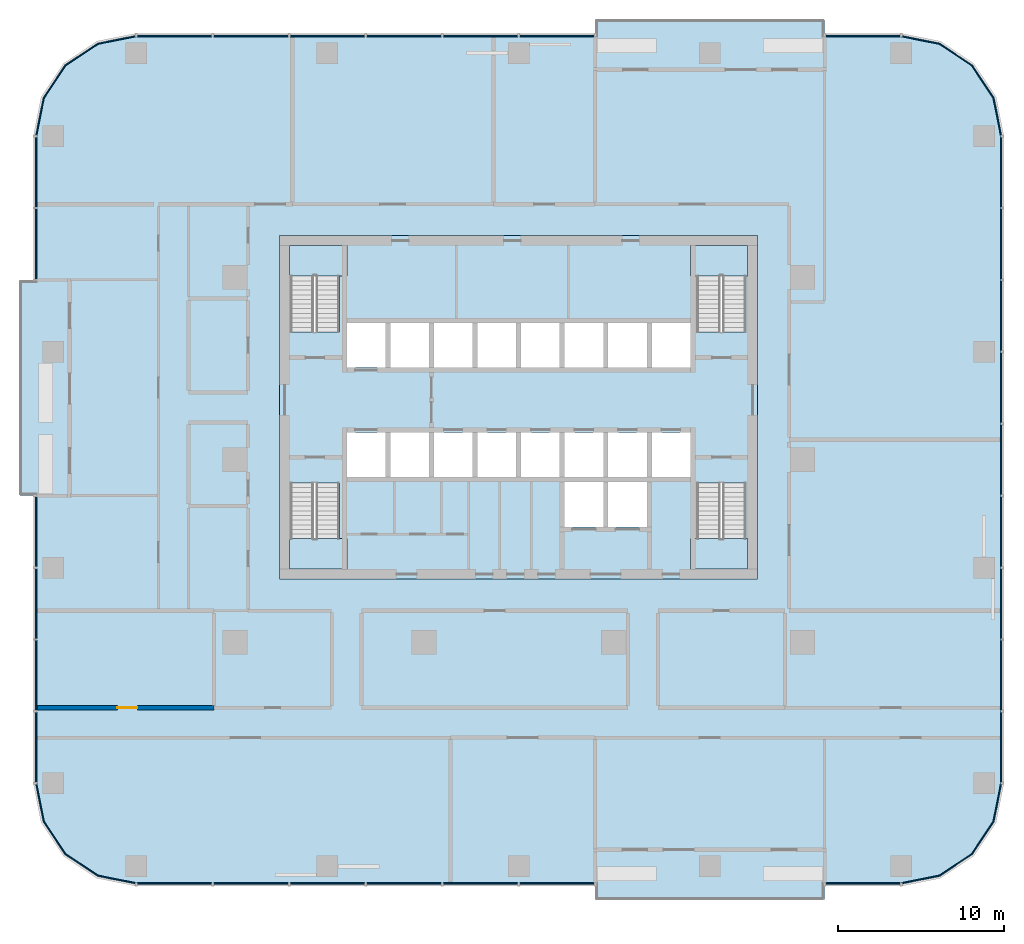
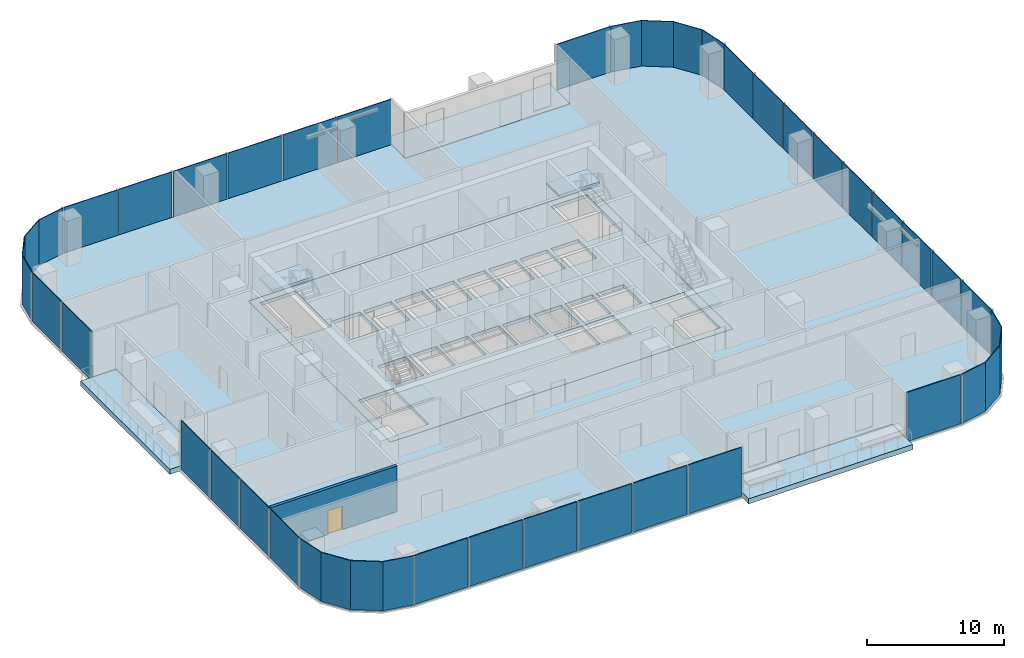
# One storey, part 6 of 15: 33 plates, 9 slabs, 1 door, 1 wall, 1 opening, 15 elements without a shape of their own.
"""IFC4 building model written with IfcOpenShell, lengths in metres."""

from ifc_helpers import new_model, si_unit, direction, frame, frame_2d, origin, origin_2d, place, context, subcontext, project, spatial, polyline, rectangle, outline, extrude, material, layer, layer_set, type_object, element, fill, aggregate, save


model = new_model("IFC4")

# Units and contexts
model_context = context("Model", 3, precision=1e-05, world=origin(), true_north=direction((0.0, 1.0)))
body_context = subcontext(model_context, "Body", "Model", "MODEL_VIEW")
ifc_project = project(units=[si_unit("LENGTHUNIT", "METRE"), si_unit("AREAUNIT", "SQUARE_METRE"), si_unit("VOLUMEUNIT", "CUBIC_METRE"), si_unit("PLANEANGLEUNIT", "RADIAN"), si_unit("MASSUNIT", "GRAM", prefix="KILO")], contexts=[model_context])

# Site, building, storey
site_placement = place(None, origin())
site = spatial("IfcSite", under=ifc_project, at=site_placement, CompositionType="ELEMENT")
building_placement = place(site_placement, origin())
building = spatial("IfcBuilding", under=site, at=building_placement, Name="Mopane Tessera Tower", CompositionType="ELEMENT")
storey_placement = place(building_placement, frame((0.0, 0.0, 117.10009765625)))
storey = spatial("IfcBuildingStorey", under=building, at=storey_placement, Name="L23", CompositionType="ELEMENT", Elevation=117.10009765625)

# Slab
ifc_material_1 = material(Name="Concrete C40/50", Category="concrete")
ifc_layer_1 = layer(ifc_material_1, 0.300048828125)
ifc_layer_set_1 = layer_set([ifc_layer_1], Name="Concrete C40/50")
slab_type_1 = type_object("IfcSlabType", Name="Core floor slab 300 mm", PredefinedType="FLOOR", material=ifc_layer_set_1)
slab_1_placement = place(storey_placement, frame((0.0, 0.0, -0.300048828125)))
element("IfcSlab", 1, at=slab_1_placement, inside=storey, type_object=slab_type_1, Name="L23 core floor slab", PredefinedType="FLOOR", context=body_context, shape_type="SweptSolid", body=[
    extrude(outline(polyline([(-14.39990234375, -7.199951171875), (14.39990234375, -7.199951171875), (14.39990234375, 13.5), (-14.39990234375, 13.5), (-14.39990234375, -7.199951171875)]), holes=[polyline([(-10.35009765625, -1.050048828125), (-8.02490234375, -1.050048828125), (-8.02490234375, 1.64990234375), (-10.35009765625, 1.64990234375), (-10.35009765625, -1.050048828125)]), polyline([(-7.72509765625, -1.050048828125), (-5.39990234375, -1.050048828125), (-5.39990234375, 1.64990234375), (-7.72509765625, 1.64990234375), (-7.72509765625, -1.050048828125)]), polyline([(-5.10009765625, -1.050048828125), (-2.77490234375, -1.050048828125), (-2.77490234375, 1.64990234375), (-5.10009765625, 1.64990234375), (-5.10009765625, -1.050048828125)]), polyline([(-2.47509765625, -1.050048828125), (-0.14990234375, -1.050048828125), (-0.14990234375, 1.64990234375), (-2.47509765625, 1.64990234375), (-2.47509765625, -1.050048828125)]), polyline([(0.14990234375, -1.050048828125), (2.47509765625, -1.050048828125), (2.47509765625, 1.64990234375), (0.14990234375, 1.64990234375), (0.14990234375, -1.050048828125)]), polyline([(2.77490234375, -1.050048828125), (5.10009765625, -1.050048828125), (5.10009765625, 1.64990234375), (2.77490234375, 1.64990234375), (2.77490234375, -1.050048828125)]), polyline([(5.39990234375, -1.050048828125), (7.72509765625, -1.050048828125), (7.72509765625, 1.64990234375), (5.39990234375, 1.64990234375), (5.39990234375, -1.050048828125)]), polyline([(8.02490234375, -1.050048828125), (10.35009765625, -1.050048828125), (10.35009765625, 1.64990234375), (8.02490234375, 1.64990234375), (8.02490234375, -1.050048828125)]), polyline([(-10.35009765625, 5.550048828125), (-8.02490234375, 5.550048828125), (-8.02490234375, 8.25), (-10.35009765625, 8.25), (-10.35009765625, 5.550048828125)]), polyline([(-7.72509765625, 5.550048828125), (-5.39990234375, 5.550048828125), (-5.39990234375, 8.25), (-7.72509765625, 8.25), (-7.72509765625, 5.550048828125)]), polyline([(-5.10009765625, 5.550048828125), (-2.77490234375, 5.550048828125), (-2.77490234375, 8.25), (-5.10009765625, 8.25), (-5.10009765625, 5.550048828125)]), polyline([(-2.47509765625, 5.550048828125), (-0.14990234375, 5.550048828125), (-0.14990234375, 8.25), (-2.47509765625, 8.25), (-2.47509765625, 5.550048828125)]), polyline([(0.14990234375, 5.550048828125), (2.47509765625, 5.550048828125), (2.47509765625, 8.25), (0.14990234375, 8.25), (0.14990234375, 5.550048828125)]), polyline([(2.77490234375, 5.550048828125), (5.10009765625, 5.550048828125), (5.10009765625, 8.25), (2.77490234375, 8.25), (2.77490234375, 5.550048828125)]), polyline([(5.39990234375, 5.550048828125), (7.72509765625, 5.550048828125), (7.72509765625, 8.25), (5.39990234375, 8.25), (5.39990234375, 5.550048828125)]), polyline([(8.02490234375, 5.550048828125), (10.35009765625, 5.550048828125), (10.35009765625, 8.25), (8.02490234375, 8.25), (8.02490234375, 5.550048828125)]), polyline([(2.77490234375, -4.050048828125), (5.10009765625, -4.050048828125), (5.10009765625, -1.35009765625), (2.77490234375, -1.35009765625), (2.77490234375, -4.050048828125)]), polyline([(5.39990234375, -4.050048828125), (7.72509765625, -4.050048828125), (7.72509765625, -1.35009765625), (5.39990234375, -1.35009765625), (5.39990234375, -4.050048828125)]), polyline([(-13.75, -1.405029296875), (-13.75, -6.60009765625), (-10.800048828125, -6.60009765625), (-10.800048828125, -1.405029296875), (-13.75, -1.405029296875)]), polyline([(-10.800048828125, 7.705078125), (-10.800048828125, 12.89990234375), (-13.75, 12.89990234375), (-13.75, 7.705078125), (-10.800048828125, 7.705078125)]), polyline([(10.75, -1.405029296875), (10.75, -6.60009765625), (13.699951171875, -6.60009765625), (13.699951171875, -1.405029296875), (10.75, -1.405029296875)]), polyline([(13.699951171875, 7.705078125), (13.699951171875, 12.89990234375), (10.75, 12.89990234375), (10.75, 7.705078125), (13.699951171875, 7.705078125)])]), origin(), (0.0, 0.0, 1.0), 0.300048828125),
])

# Stair, slab
ifc_material_2 = material(Name="Concrete C50/60", Category="concrete")
stair_type = type_object("IfcStairType", Name="Escape stair 1400 mm, riser 173 mm", PredefinedType="HALF_TURN_STAIR", material=ifc_material_2)
stair_1_placement = place(storey_placement, origin())
stair_1 = element("IfcStair", 2, at=stair_1_placement, inside=storey, type_object=stair_type, Name="L23 Escape stair south-west", PredefinedType="HALF_TURN_STAIR")
ifc_material_3 = material(Name="Concrete C50/60", Category="concrete")
ifc_layer_2 = layer(ifc_material_3, 0.199951171875)
ifc_layer_set_2 = layer_set([ifc_layer_2], Name="Concrete C50/60")
slab_type_2 = type_object("IfcSlabType", Name="Escape stair landing 200 mm", PredefinedType="LANDING", material=ifc_layer_set_2)
slab_2_placement = place(storey_placement, frame((0.0, 0.0, 2.0498046875)))
slab_2 = element("IfcSlab", 3, at=slab_2_placement, type_object=slab_type_2, Name="ST1 landing 1", PredefinedType="LANDING", context=body_context, shape_type="SweptSolid", body=[
    extrude(outline(polyline([(-13.800048828125, -4.760009765625), (-13.800048828125, -6.60009765625), (-10.35009765625, -6.60009765625), (-10.35009765625, -4.760009765625), (-13.800048828125, -4.760009765625)])), origin(), (0.0, 0.0, 1.0), 0.2001953125),
])
aggregate(stair_1, [slab_2])

stair_2_placement = place(storey_placement, origin())
stair_2 = element("IfcStair", 4, at=stair_2_placement, inside=storey, type_object=stair_type, Name="L23 Escape stair north-west", PredefinedType="HALF_TURN_STAIR")
slab_3_placement = place(storey_placement, frame((0.0, 0.0, 2.0498046875)))
slab_3 = element("IfcSlab", 5, at=slab_3_placement, type_object=slab_type_2, Name="ST2 landing 1", PredefinedType="LANDING", context=body_context, shape_type="SweptSolid", body=[
    extrude(outline(polyline([(-10.35009765625, 11.06005859375), (-10.35009765625, 12.89990234375), (-13.800048828125, 12.89990234375), (-13.800048828125, 11.06005859375), (-10.35009765625, 11.06005859375)])), origin(), (0.0, 0.0, 1.0), 0.2001953125),
])
aggregate(stair_2, [slab_3])

stair_3_placement = place(storey_placement, origin())
stair_3 = element("IfcStair", 6, at=stair_3_placement, inside=storey, type_object=stair_type, Name="L23 Escape stair south-east", PredefinedType="HALF_TURN_STAIR")
slab_4_placement = place(storey_placement, frame((0.0, 0.0, 2.0498046875)))
slab_4 = element("IfcSlab", 7, at=slab_4_placement, type_object=slab_type_2, Name="ST3 landing 1", PredefinedType="LANDING", context=body_context, shape_type="SweptSolid", body=[
    extrude(outline(polyline([(10.35009765625, -4.760009765625), (10.35009765625, -6.60009765625), (13.800048828125, -6.60009765625), (13.800048828125, -4.760009765625), (10.35009765625, -4.760009765625)])), origin(), (0.0, 0.0, 1.0), 0.2001953125),
])
aggregate(stair_3, [slab_4])

stair_4_placement = place(storey_placement, origin())
stair_4 = element("IfcStair", 8, at=stair_4_placement, inside=storey, type_object=stair_type, Name="L23 Escape stair north-east", PredefinedType="HALF_TURN_STAIR")
slab_5_placement = place(storey_placement, frame((0.0, 0.0, 2.0498046875)))
slab_5 = element("IfcSlab", 9, at=slab_5_placement, type_object=slab_type_2, Name="ST4 landing 1", PredefinedType="LANDING", context=body_context, shape_type="SweptSolid", body=[
    extrude(outline(polyline([(13.800048828125, 11.06005859375), (13.800048828125, 12.89990234375), (10.35009765625, 12.89990234375), (10.35009765625, 11.06005859375), (13.800048828125, 11.06005859375)])), origin(), (0.0, 0.0, 1.0), 0.2001953125),
])
aggregate(stair_4, [slab_5])

# Curtain wall, plates
ifc_material_4 = material(Name="Aluminium frame", Category="aluminium")
curtain_wall_type = type_object("IfcCurtainWallType", Name="Lower tower unitised wall", PredefinedType="NOTDEFINED", material=ifc_material_4)
curtain_wall_1_placement = place(storey_placement, origin())
curtain_wall_1 = element("IfcCurtainWall", 10, at=curtain_wall_1_placement, inside=storey, type_object=curtain_wall_type, Name="e:cw:L23:S:0", PredefinedType="NOTDEFINED")
ifc_material_5 = material(Name="Clear laminated glass", Category="glass")
ifc_layer_3 = layer(ifc_material_5, 0.070068359375)
ifc_layer_set_3 = layer_set([ifc_layer_3], Name="Clear laminated glass")
plate_type = type_object("IfcPlateType", Name="Laminated glazed unit 70", PredefinedType="CURTAIN_PANEL", material=ifc_layer_set_3)
plate_1_placement = place(storey_placement, frame((-20.7451171875, -25.534912109375, -0.31005859375), z_axis=(0.0, 0.0, 1.0), x_axis=(1.0, 0.0, 0.0)))
plate_1 = element("IfcPlate", 11, at=plate_1_placement, type_object=plate_type, Name="e:cw:L23:S:0:pn0", PredefinedType="CURTAIN_PANEL", context=body_context, shape_type="SweptSolid", body=[
    extrude(rectangle(XDim=4.5, YDim=0.070068359375, at=origin_2d()), origin(), (0.0, 0.0, 1.0), 4.360107421875),
])
plate_2_placement = place(storey_placement, frame((-16.135009765625, -25.534912109375, -0.31005859375), z_axis=(0.0, 0.0, 1.0), x_axis=(1.0, 0.0, 0.0)))
plate_2 = element("IfcPlate", 12, at=plate_2_placement, type_object=plate_type, Name="e:cw:L23:S:0:pn1", PredefinedType="CURTAIN_PANEL", context=body_context, shape_type="SweptSolid", body=[
    extrude(rectangle(XDim=4.5, YDim=0.070068359375, at=origin_2d()), origin(), (0.0, 0.0, 1.0), 4.360107421875),
])
plate_3_placement = place(storey_placement, frame((-11.52490234375, -25.534912109375, -0.31005859375), z_axis=(0.0, 0.0, 1.0), x_axis=(1.0, 0.0, 0.0)))
plate_3 = element("IfcPlate", 13, at=plate_3_placement, type_object=plate_type, Name="e:cw:L23:S:0:pn2", PredefinedType="CURTAIN_PANEL", context=body_context, shape_type="SweptSolid", body=[
    extrude(rectangle(XDim=4.5, YDim=0.070068359375, at=origin_2d()), origin(), (0.0, 0.0, 1.0), 4.360107421875),
])
plate_4_placement = place(storey_placement, frame((-6.9150390625, -25.534912109375, -0.31005859375), z_axis=(0.0, 0.0, 1.0), x_axis=(1.0, 0.0, 0.0)))
plate_4 = element("IfcPlate", 14, at=plate_4_placement, type_object=plate_type, Name="e:cw:L23:S:0:pn3", PredefinedType="CURTAIN_PANEL", context=body_context, shape_type="SweptSolid", body=[
    extrude(rectangle(XDim=4.5, YDim=0.070068359375, at=origin_2d()), origin(), (0.0, 0.0, 1.0), 4.360107421875),
])
plate_5_placement = place(storey_placement, frame((-2.304931640625, -25.534912109375, -0.31005859375), z_axis=(0.0, 0.0, 1.0), x_axis=(1.0, 0.0, 0.0)))
plate_5 = element("IfcPlate", 15, at=plate_5_placement, type_object=plate_type, Name="e:cw:L23:S:0:pn4", PredefinedType="CURTAIN_PANEL", context=body_context, shape_type="SweptSolid", body=[
    extrude(rectangle(XDim=4.5, YDim=0.070068359375, at=origin_2d()), origin(), (0.0, 0.0, 1.0), 4.360107421875),
])
plate_6_placement = place(storey_placement, frame((2.304931640625, -25.534912109375, -0.31005859375), z_axis=(0.0, 0.0, 1.0), x_axis=(1.0, 0.0, 0.0)))
plate_6 = element("IfcPlate", 16, at=plate_6_placement, type_object=plate_type, Name="e:cw:L23:S:0:pn5", PredefinedType="CURTAIN_PANEL", context=body_context, shape_type="SweptSolid", body=[
    extrude(rectangle(XDim=4.5, YDim=0.070068359375, at=origin_2d()), origin(), (0.0, 0.0, 1.0), 4.360107421875),
])
aggregate(curtain_wall_1, [plate_1, plate_2, plate_3, plate_4, plate_5, plate_6])

# Curtain wall, plate
curtain_wall_2_placement = place(storey_placement, origin())
curtain_wall_2 = element("IfcCurtainWall", 17, at=curtain_wall_2_placement, inside=storey, type_object=curtain_wall_type, Name="e:cw:L23:S:9", PredefinedType="NOTDEFINED")
plate_7_placement = place(storey_placement, frame((20.7451171875, -25.534912109375, -0.31005859375), z_axis=(0.0, 0.0, 1.0), x_axis=(1.0, 0.0, 0.0)))
plate_7 = element("IfcPlate", 18, at=plate_7_placement, type_object=plate_type, Name="e:cw:L23:S:9:pn9", PredefinedType="CURTAIN_PANEL", context=body_context, shape_type="SweptSolid", body=[
    extrude(rectangle(XDim=4.5, YDim=0.070068359375, at=origin_2d()), origin(), (0.0, 0.0, 1.0), 4.360107421875),
])
aggregate(curtain_wall_2, [plate_7])

curtain_wall_3_placement = place(storey_placement, origin())
curtain_wall_3 = element("IfcCurtainWall", 19, at=curtain_wall_3_placement, inside=storey, type_object=curtain_wall_type, Name="e:cw:L23:CS", PredefinedType="NOTDEFINED")
plate_8_placement = place(storey_placement, frame((0.0, 0.0, -0.31005859375)))
plate_8 = element("IfcPlate", 20, at=plate_8_placement, type_object=plate_type, Name="e:cw:L23:CS:pn", PredefinedType="CURTAIN_PANEL", context=body_context, shape_type="SweptSolid", body=[
    extrude(outline(polyline([(23.050048828125, -25.5), (25.34619140625, -25.043212890625), (27.292724609375, -23.74267578125), (28.59326171875, -21.796142578125), (29.050048828125, -19.5), (29.1201171875, -19.5), (28.657958984375, -21.822998046875), (27.342041015625, -23.792236328125), (25.372802734375, -25.10791015625), (23.050048828125, -25.570068359375), (23.050048828125, -25.5)])), origin(), (0.0, 0.0, 1.0), 4.35986328125),
])
aggregate(curtain_wall_3, [plate_8])

# Curtain wall, plates
curtain_wall_4_placement = place(storey_placement, origin())
curtain_wall_4 = element("IfcCurtainWall", 21, at=curtain_wall_4_placement, inside=storey, type_object=curtain_wall_type, Name="e:cw:L23:E:0", PredefinedType="NOTDEFINED")
plate_9_placement = place(storey_placement, frame((29.0849609375, -17.333251953125, -0.31005859375), z_axis=(0.0, 0.0, 1.0), x_axis=(0.0, 1.0, 0.0)))
plate_9 = element("IfcPlate", 22, at=plate_9_placement, type_object=plate_type, Name="e:cw:L23:E:0:pn0", PredefinedType="CURTAIN_PANEL", context=body_context, shape_type="SweptSolid", body=[
    extrude(rectangle(XDim=4.223388671875, YDim=0.070068359375, at=origin_2d()), origin(), (0.0, 0.0, 1.0), 4.360107421875),
])
plate_10_placement = place(storey_placement, frame((29.0849609375, -13.0, -0.31005859375), z_axis=(0.0, 0.0, 1.0), x_axis=(0.0, 1.0, 0.0)))
plate_10 = element("IfcPlate", 23, at=plate_10_placement, type_object=plate_type, Name="e:cw:L23:E:0:pn1", PredefinedType="CURTAIN_PANEL", context=body_context, shape_type="SweptSolid", body=[
    extrude(rectangle(XDim=4.223388671875, YDim=0.070068359375, at=origin_2d()), origin(), (0.0, 0.0, 1.0), 4.360107421875),
])
plate_11_placement = place(storey_placement, frame((29.0849609375, -8.666748046875, -0.31005859375), z_axis=(0.0, 0.0, 1.0), x_axis=(0.0, 1.0, 0.0)))
plate_11 = element("IfcPlate", 24, at=plate_11_placement, type_object=plate_type, Name="e:cw:L23:E:0:pn2", PredefinedType="CURTAIN_PANEL", context=body_context, shape_type="SweptSolid", body=[
    extrude(rectangle(XDim=4.223388671875, YDim=0.070068359375, at=origin_2d()), origin(), (0.0, 0.0, 1.0), 4.360107421875),
])
plate_12_placement = place(storey_placement, frame((29.0849609375, -4.333251953125, -0.31005859375), z_axis=(0.0, 0.0, 1.0), x_axis=(0.0, 1.0, 0.0)))
plate_12 = element("IfcPlate", 25, at=plate_12_placement, type_object=plate_type, Name="e:cw:L23:E:0:pn3", PredefinedType="CURTAIN_PANEL", context=body_context, shape_type="SweptSolid", body=[
    extrude(rectangle(XDim=4.223388671875, YDim=0.070068359375, at=origin_2d()), origin(), (0.0, 0.0, 1.0), 4.360107421875),
])
plate_13_placement = place(storey_placement, frame((29.0849609375, 0.0, -0.31005859375), z_axis=(0.0, 0.0, 1.0), x_axis=(0.0, 1.0, 0.0)))
plate_13 = element("IfcPlate", 26, at=plate_13_placement, type_object=plate_type, Name="e:cw:L23:E:0:pn4", PredefinedType="CURTAIN_PANEL", context=body_context, shape_type="SweptSolid", body=[
    extrude(rectangle(XDim=4.223388671875, YDim=0.070068359375, at=origin_2d()), origin(), (0.0, 0.0, 1.0), 4.360107421875),
])
plate_14_placement = place(storey_placement, frame((29.0849609375, 4.333251953125, -0.31005859375), z_axis=(0.0, 0.0, 1.0), x_axis=(0.0, 1.0, 0.0)))
plate_14 = element("IfcPlate", 27, at=plate_14_placement, type_object=plate_type, Name="e:cw:L23:E:0:pn5", PredefinedType="CURTAIN_PANEL", context=body_context, shape_type="SweptSolid", body=[
    extrude(rectangle(XDim=4.223388671875, YDim=0.070068359375, at=origin_2d()), origin(), (0.0, 0.0, 1.0), 4.360107421875),
])
plate_15_placement = place(storey_placement, frame((29.0849609375, 8.666748046875, -0.31005859375), z_axis=(0.0, 0.0, 1.0), x_axis=(0.0, 1.0, 0.0)))
plate_15 = element("IfcPlate", 28, at=plate_15_placement, type_object=plate_type, Name="e:cw:L23:E:0:pn6", PredefinedType="CURTAIN_PANEL", context=body_context, shape_type="SweptSolid", body=[
    extrude(rectangle(XDim=4.223388671875, YDim=0.070068359375, at=origin_2d()), origin(), (0.0, 0.0, 1.0), 4.360107421875),
])
plate_16_placement = place(storey_placement, frame((29.0849609375, 13.0, -0.31005859375), z_axis=(0.0, 0.0, 1.0), x_axis=(0.0, 1.0, 0.0)))
plate_16 = element("IfcPlate", 29, at=plate_16_placement, type_object=plate_type, Name="e:cw:L23:E:0:pn7", PredefinedType="CURTAIN_PANEL", context=body_context, shape_type="SweptSolid", body=[
    extrude(rectangle(XDim=4.223388671875, YDim=0.070068359375, at=origin_2d()), origin(), (0.0, 0.0, 1.0), 4.360107421875),
])
plate_17_placement = place(storey_placement, frame((29.0849609375, 17.333251953125, -0.31005859375), z_axis=(0.0, 0.0, 1.0), x_axis=(0.0, 1.0, 0.0)))
plate_17 = element("IfcPlate", 30, at=plate_17_placement, type_object=plate_type, Name="e:cw:L23:E:0:pn8", PredefinedType="CURTAIN_PANEL", context=body_context, shape_type="SweptSolid", body=[
    extrude(rectangle(XDim=4.223388671875, YDim=0.070068359375, at=origin_2d()), origin(), (0.0, 0.0, 1.0), 4.360107421875),
])
aggregate(curtain_wall_4, [plate_9, plate_10, plate_11, plate_12, plate_13, plate_14, plate_15, plate_16, plate_17])

# Curtain wall, plate
curtain_wall_5_placement = place(storey_placement, origin())
curtain_wall_5 = element("IfcCurtainWall", 31, at=curtain_wall_5_placement, inside=storey, type_object=curtain_wall_type, Name="e:cw:L23:CE", PredefinedType="NOTDEFINED")
plate_18_placement = place(storey_placement, frame((0.0, 0.0, -0.31005859375)))
plate_18 = element("IfcPlate", 32, at=plate_18_placement, type_object=plate_type, Name="e:cw:L23:CE:pn", PredefinedType="CURTAIN_PANEL", context=body_context, shape_type="SweptSolid", body=[
    extrude(outline(polyline([(29.050048828125, 19.5), (28.59326171875, 21.796142578125), (27.292724609375, 23.74267578125), (25.34619140625, 25.043212890625), (23.050048828125, 25.5), (23.050048828125, 25.570068359375), (25.372802734375, 25.10791015625), (27.342041015625, 23.792236328125), (28.657958984375, 21.822998046875), (29.1201171875, 19.5), (29.050048828125, 19.5)])), origin(), (0.0, 0.0, 1.0), 4.35986328125),
])
aggregate(curtain_wall_5, [plate_18])

curtain_wall_6_placement = place(storey_placement, origin())
curtain_wall_6 = element("IfcCurtainWall", 33, at=curtain_wall_6_placement, inside=storey, type_object=curtain_wall_type, Name="e:cw:L23:N:0", PredefinedType="NOTDEFINED")
plate_19_placement = place(storey_placement, frame((20.7451171875, 25.534912109375, -0.31005859375), z_axis=(0.0, 0.0, 1.0), x_axis=(-1.0, 0.0, 0.0)))
plate_19 = element("IfcPlate", 34, at=plate_19_placement, type_object=plate_type, Name="e:cw:L23:N:0:pn0", PredefinedType="CURTAIN_PANEL", context=body_context, shape_type="SweptSolid", body=[
    extrude(rectangle(XDim=4.5, YDim=0.070068359375, at=origin_2d()), origin(), (0.0, 0.0, 1.0), 4.360107421875),
])
aggregate(curtain_wall_6, [plate_19])

# Curtain wall, plates
curtain_wall_7_placement = place(storey_placement, origin())
curtain_wall_7 = element("IfcCurtainWall", 35, at=curtain_wall_7_placement, inside=storey, type_object=curtain_wall_type, Name="e:cw:L23:N:4", PredefinedType="NOTDEFINED")
plate_20_placement = place(storey_placement, frame((2.304931640625, 25.534912109375, -0.31005859375), z_axis=(0.0, 0.0, 1.0), x_axis=(-1.0, 0.0, 0.0)))
plate_20 = element("IfcPlate", 36, at=plate_20_placement, type_object=plate_type, Name="e:cw:L23:N:4:pn4", PredefinedType="CURTAIN_PANEL", context=body_context, shape_type="SweptSolid", body=[
    extrude(rectangle(XDim=4.5, YDim=0.070068359375, at=origin_2d()), origin(), (0.0, 0.0, 1.0), 4.360107421875),
])
plate_21_placement = place(storey_placement, frame((-2.304931640625, 25.534912109375, -0.31005859375), z_axis=(0.0, 0.0, 1.0), x_axis=(-1.0, 0.0, 0.0)))
plate_21 = element("IfcPlate", 37, at=plate_21_placement, type_object=plate_type, Name="e:cw:L23:N:4:pn5", PredefinedType="CURTAIN_PANEL", context=body_context, shape_type="SweptSolid", body=[
    extrude(rectangle(XDim=4.5, YDim=0.070068359375, at=origin_2d()), origin(), (0.0, 0.0, 1.0), 4.360107421875),
])
plate_22_placement = place(storey_placement, frame((-6.9150390625, 25.534912109375, -0.31005859375), z_axis=(0.0, 0.0, 1.0), x_axis=(-1.0, 0.0, 0.0)))
plate_22 = element("IfcPlate", 38, at=plate_22_placement, type_object=plate_type, Name="e:cw:L23:N:4:pn6", PredefinedType="CURTAIN_PANEL", context=body_context, shape_type="SweptSolid", body=[
    extrude(rectangle(XDim=4.5, YDim=0.070068359375, at=origin_2d()), origin(), (0.0, 0.0, 1.0), 4.360107421875),
])
plate_23_placement = place(storey_placement, frame((-11.52490234375, 25.534912109375, -0.31005859375), z_axis=(0.0, 0.0, 1.0), x_axis=(-1.0, 0.0, 0.0)))
plate_23 = element("IfcPlate", 39, at=plate_23_placement, type_object=plate_type, Name="e:cw:L23:N:4:pn7", PredefinedType="CURTAIN_PANEL", context=body_context, shape_type="SweptSolid", body=[
    extrude(rectangle(XDim=4.5, YDim=0.070068359375, at=origin_2d()), origin(), (0.0, 0.0, 1.0), 4.360107421875),
])
plate_24_placement = place(storey_placement, frame((-16.135009765625, 25.534912109375, -0.31005859375), z_axis=(0.0, 0.0, 1.0), x_axis=(-1.0, 0.0, 0.0)))
plate_24 = element("IfcPlate", 40, at=plate_24_placement, type_object=plate_type, Name="e:cw:L23:N:4:pn8", PredefinedType="CURTAIN_PANEL", context=body_context, shape_type="SweptSolid", body=[
    extrude(rectangle(XDim=4.5, YDim=0.070068359375, at=origin_2d()), origin(), (0.0, 0.0, 1.0), 4.360107421875),
])
plate_25_placement = place(storey_placement, frame((-20.7451171875, 25.534912109375, -0.31005859375), z_axis=(0.0, 0.0, 1.0), x_axis=(-1.0, 0.0, 0.0)))
plate_25 = element("IfcPlate", 41, at=plate_25_placement, type_object=plate_type, Name="e:cw:L23:N:4:pn9", PredefinedType="CURTAIN_PANEL", context=body_context, shape_type="SweptSolid", body=[
    extrude(rectangle(XDim=4.5, YDim=0.070068359375, at=origin_2d()), origin(), (0.0, 0.0, 1.0), 4.360107421875),
])
aggregate(curtain_wall_7, [plate_20, plate_21, plate_22, plate_23, plate_24, plate_25])

# Curtain wall, plate
curtain_wall_8_placement = place(storey_placement, origin())
curtain_wall_8 = element("IfcCurtainWall", 42, at=curtain_wall_8_placement, inside=storey, type_object=curtain_wall_type, Name="e:cw:L23:CN", PredefinedType="NOTDEFINED")
plate_26_placement = place(storey_placement, frame((0.0, 0.0, -0.31005859375)))
plate_26 = element("IfcPlate", 43, at=plate_26_placement, type_object=plate_type, Name="e:cw:L23:CN:pn", PredefinedType="CURTAIN_PANEL", context=body_context, shape_type="SweptSolid", body=[
    extrude(outline(polyline([(-23.050048828125, 25.5), (-25.34619140625, 25.043212890625), (-27.292724609375, 23.74267578125), (-28.59326171875, 21.796142578125), (-29.050048828125, 19.5), (-29.1201171875, 19.5), (-28.657958984375, 21.822998046875), (-27.342041015625, 23.792236328125), (-25.372802734375, 25.10791015625), (-23.050048828125, 25.570068359375), (-23.050048828125, 25.5)])), origin(), (0.0, 0.0, 1.0), 4.35986328125),
])
aggregate(curtain_wall_8, [plate_26])

# Curtain wall, plates
curtain_wall_9_placement = place(storey_placement, origin())
curtain_wall_9 = element("IfcCurtainWall", 44, at=curtain_wall_9_placement, inside=storey, type_object=curtain_wall_type, Name="e:cw:L23:W:0", PredefinedType="NOTDEFINED")
plate_27_placement = place(storey_placement, frame((-29.0849609375, 17.333251953125, -0.31005859375), z_axis=(0.0, 0.0, 1.0), x_axis=(0.0, -1.0, 0.0)))
plate_27 = element("IfcPlate", 45, at=plate_27_placement, type_object=plate_type, Name="e:cw:L23:W:0:pn0", PredefinedType="CURTAIN_PANEL", context=body_context, shape_type="SweptSolid", body=[
    extrude(rectangle(XDim=4.223388671875, YDim=0.070068359375, at=origin_2d()), origin(), (0.0, 0.0, 1.0), 4.360107421875),
])
plate_28_placement = place(storey_placement, frame((-29.0849609375, 13.0, -0.31005859375), z_axis=(0.0, 0.0, 1.0), x_axis=(0.0, -1.0, 0.0)))
plate_28 = element("IfcPlate", 46, at=plate_28_placement, type_object=plate_type, Name="e:cw:L23:W:0:pn1", PredefinedType="CURTAIN_PANEL", context=body_context, shape_type="SweptSolid", body=[
    extrude(rectangle(XDim=4.223388671875, YDim=0.070068359375, at=origin_2d()), origin(), (0.0, 0.0, 1.0), 4.360107421875),
])
aggregate(curtain_wall_9, [plate_27, plate_28])

curtain_wall_10_placement = place(storey_placement, origin())
curtain_wall_10 = element("IfcCurtainWall", 47, at=curtain_wall_10_placement, inside=storey, type_object=curtain_wall_type, Name="e:cw:L23:W:5", PredefinedType="NOTDEFINED")
plate_29_placement = place(storey_placement, frame((-29.0849609375, -4.333251953125, -0.31005859375), z_axis=(0.0, 0.0, 1.0), x_axis=(0.0, -1.0, 0.0)))
plate_29 = element("IfcPlate", 48, at=plate_29_placement, type_object=plate_type, Name="e:cw:L23:W:5:pn5", PredefinedType="CURTAIN_PANEL", context=body_context, shape_type="SweptSolid", body=[
    extrude(rectangle(XDim=4.223388671875, YDim=0.070068359375, at=origin_2d()), origin(), (0.0, 0.0, 1.0), 4.360107421875),
])
plate_30_placement = place(storey_placement, frame((-29.0849609375, -8.666748046875, -0.31005859375), z_axis=(0.0, 0.0, 1.0), x_axis=(0.0, -1.0, 0.0)))
plate_30 = element("IfcPlate", 49, at=plate_30_placement, type_object=plate_type, Name="e:cw:L23:W:5:pn6", PredefinedType="CURTAIN_PANEL", context=body_context, shape_type="SweptSolid", body=[
    extrude(rectangle(XDim=4.223388671875, YDim=0.070068359375, at=origin_2d()), origin(), (0.0, 0.0, 1.0), 4.360107421875),
])
plate_31_placement = place(storey_placement, frame((-29.0849609375, -13.0, -0.31005859375), z_axis=(0.0, 0.0, 1.0), x_axis=(0.0, -1.0, 0.0)))
plate_31 = element("IfcPlate", 50, at=plate_31_placement, type_object=plate_type, Name="e:cw:L23:W:5:pn7", PredefinedType="CURTAIN_PANEL", context=body_context, shape_type="SweptSolid", body=[
    extrude(rectangle(XDim=4.223388671875, YDim=0.070068359375, at=origin_2d()), origin(), (0.0, 0.0, 1.0), 4.360107421875),
])
plate_32_placement = place(storey_placement, frame((-29.0849609375, -17.333251953125, -0.31005859375), z_axis=(0.0, 0.0, 1.0), x_axis=(0.0, -1.0, 0.0)))
plate_32 = element("IfcPlate", 51, at=plate_32_placement, type_object=plate_type, Name="e:cw:L23:W:5:pn8", PredefinedType="CURTAIN_PANEL", context=body_context, shape_type="SweptSolid", body=[
    extrude(rectangle(XDim=4.223388671875, YDim=0.070068359375, at=origin_2d()), origin(), (0.0, 0.0, 1.0), 4.360107421875),
])
aggregate(curtain_wall_10, [plate_29, plate_30, plate_31, plate_32])

# Curtain wall, plate
curtain_wall_11_placement = place(storey_placement, origin())
curtain_wall_11 = element("IfcCurtainWall", 52, at=curtain_wall_11_placement, inside=storey, type_object=curtain_wall_type, Name="e:cw:L23:CW", PredefinedType="NOTDEFINED")
plate_33_placement = place(storey_placement, frame((0.0, 0.0, -0.31005859375)))
plate_33 = element("IfcPlate", 53, at=plate_33_placement, type_object=plate_type, Name="e:cw:L23:CW:pn", PredefinedType="CURTAIN_PANEL", context=body_context, shape_type="SweptSolid", body=[
    extrude(outline(polyline([(-29.050048828125, -19.5), (-28.59326171875, -21.796142578125), (-27.292724609375, -23.74267578125), (-25.34619140625, -25.043212890625), (-23.050048828125, -25.5), (-23.050048828125, -25.570068359375), (-25.372802734375, -25.10791015625), (-27.342041015625, -23.792236328125), (-28.657958984375, -21.822998046875), (-29.1201171875, -19.5), (-29.050048828125, -19.5)])), origin(), (0.0, 0.0, 1.0), 4.35986328125),
])
aggregate(curtain_wall_11, [plate_33])

# Slabs
ifc_material_6 = material(Name="Concrete C40/50", Category="concrete")
ifc_layer_4 = layer(ifc_material_6, 0.449951171875)
ifc_layer_set_4 = layer_set([ifc_layer_4], Name="Concrete C40/50")
slab_type_3 = type_object("IfcSlabType", Name="Planted terrace slab 450 mm", PredefinedType="FLOOR", material=ifc_layer_set_4)
slab_6_placement = place(storey_placement, frame((0.0, 0.0, -0.4501953125)))
element("IfcSlab", 54, at=slab_6_placement, inside=storey, type_object=slab_type_3, Name="Terrace slab N1 L23", PredefinedType="FLOOR", context=body_context, shape_type="SweptSolid", body=[
    extrude(outline(polyline([(4.610107421875, 26.5), (4.610107421875, 23.5), (18.43994140625, 23.5), (18.43994140625, 26.5), (4.610107421875, 26.5)])), origin(), (0.0, 0.0, 1.0), 0.4501953125),
])
slab_7_placement = place(storey_placement, frame((0.0, 0.0, -0.4501953125)))
element("IfcSlab", 55, at=slab_7_placement, inside=storey, type_object=slab_type_3, Name="Terrace slab N2 L23", PredefinedType="FLOOR", context=body_context, shape_type="SweptSolid", body=[
    extrude(outline(polyline([(-30.050048828125, -2.166748046875), (-27.050048828125, -2.166748046875), (-27.050048828125, 10.833251953125), (-30.050048828125, 10.833251953125), (-30.050048828125, -2.166748046875)])), origin(), (0.0, 0.0, 1.0), 0.4501953125),
])
slab_8_placement = place(storey_placement, frame((0.0, 0.0, -0.4501953125)))
element("IfcSlab", 56, at=slab_8_placement, inside=storey, type_object=slab_type_3, Name="Terrace slab N3 L23", PredefinedType="FLOOR", context=body_context, shape_type="SweptSolid", body=[
    extrude(outline(polyline([(18.43994140625, -26.5), (18.43994140625, -23.5), (4.610107421875, -23.5), (4.610107421875, -26.5), (18.43994140625, -26.5)])), origin(), (0.0, 0.0, 1.0), 0.4501953125),
])
ifc_material_7 = material(Name="Concrete C40/50", Category="concrete")
ifc_layer_5 = layer(ifc_material_7, 0.449951171875)
ifc_layer_set_5 = layer_set([ifc_layer_5], Name="Concrete C40/50")
slab_type_4 = type_object("IfcSlabType", Name="Post-tensioned flat plate 450 mm", PredefinedType="FLOOR", material=ifc_layer_set_5)
slab_9_placement = place(storey_placement, frame((0.0, 0.0, -0.4501953125)))
element("IfcSlab", 57, at=slab_9_placement, inside=storey, type_object=slab_type_4, Name="Floor slab L23", PredefinedType="FLOOR", context=body_context, shape_type="SweptSolid", body=[
    extrude(outline(polyline([(-23.050048828125, -25.5), (4.610107421875, -25.5), (4.610107421875, -23.5), (18.43994140625, -23.5), (18.43994140625, -25.5), (23.050048828125, -25.5), (25.34619140625, -25.043212890625), (27.292724609375, -23.74267578125), (28.59326171875, -21.796142578125), (29.050048828125, -19.5), (29.050048828125, 19.5), (28.59326171875, 21.796142578125), (27.292724609375, 23.74267578125), (25.34619140625, 25.043212890625), (23.050048828125, 25.5), (18.43994140625, 25.5), (18.43994140625, 23.5), (4.610107421875, 23.5), (4.610107421875, 25.5), (-23.050048828125, 25.5), (-25.34619140625, 25.043212890625), (-27.292724609375, 23.74267578125), (-28.59326171875, 21.796142578125), (-29.050048828125, 19.5), (-29.050048828125, 10.833251953125), (-27.050048828125, 10.833251953125), (-27.050048828125, -2.166748046875), (-29.050048828125, -2.166748046875), (-29.050048828125, -19.5), (-28.59326171875, -21.796142578125), (-27.292724609375, -23.74267578125), (-25.34619140625, -25.043212890625), (-23.050048828125, -25.5)]), holes=[polyline([(14.39990234375, -7.199951171875), (-14.39990234375, -7.199951171875), (-14.39990234375, 13.5), (14.39990234375, 13.5), (14.39990234375, -7.199951171875)])]), origin(), (0.0, 0.0, 1.0), 0.4501953125),
])

# Wall, opening, door
ifc_material_8 = material(Name="Plastered concrete blockwork C20/25", Category="masonry")
ifc_layer_6 = layer(ifc_material_8, 0.25)
ifc_layer_set_6 = layer_set([ifc_layer_6], Name="Plastered concrete blockwork C20/25")
wall_type = type_object("IfcWallType", Name="Plastered blockwork wall 250, rated EI 120", PredefinedType="PARTITIONING", material=ifc_layer_set_6)
wall_placement = place(storey_placement, frame((-29.0, -14.949951171875, 0.0), z_axis=(0.0, 0.0, 1.0), x_axis=(1.0, 0.0, 0.0)))
wall = element("IfcWall", 58, at=wall_placement, inside=storey, type_object=wall_type, Name="Partition L23:005", PredefinedType="PARTITIONING", context=body_context, shape_type="SweptSolid", body=[
    extrude(rectangle(XDim=10.635009765625, YDim=0.25, at=frame_2d((5.3173828125, 0.0))), origin(), (0.0, 0.0, 1.0), 4.0498046875),
])
opening_placement = place(wall_placement, frame((4.8173828125, 0.0, 0.0)))
opening = element("IfcOpeningElement", 59, at=opening_placement, cuts=wall, Name="Opening L23-11", PredefinedType="OPENING", context=body_context, shape_type="SweptSolid", body=[
    extrude(rectangle(XDim=1.199951171875, YDim=2.10009765625, at=frame_2d((0.60009765625, 1.050048828125))), frame((0.0, 0.136962890625, 0.0), z_axis=(0.0, -1.0, 0.0), x_axis=(1.0, 0.0, 0.0)), (0.0, 0.0, 1.0), 0.27392578125),
])
ifc_material_9 = material(Name="Timber veneered steel-framed fire door", Category="steel")
door_type = type_object("IfcDoorType", Name="Fire door FD120 1200 x 2100", OperationType="SINGLE_SWING_LEFT", PredefinedType="DOOR", material=ifc_material_9)
door_placement = place(opening_placement, origin())
door = element("IfcDoor", 60, at=door_placement, inside=storey, type_object=door_type, Name="Door L23-11", ObjectType="D15B", OperationType="SINGLE_SWING_LEFT", OverallHeight=2.10009765625, OverallWidth=1.199951171875, PredefinedType="DOOR", context=body_context, shape_type="SweptSolid", body=[
    extrude(rectangle(XDim=1.199951171875, YDim=2.10009765625, at=frame_2d((0.60009765625, 1.050048828125))), frame((0.0, 0.02490234375, 0.0), z_axis=(0.0, -1.0, 0.0), x_axis=(1.0, 0.0, 0.0)), (0.0, 0.0, 1.0), 0.050048828125),
])
fill(opening, door)

save(model, "model.ifc")
